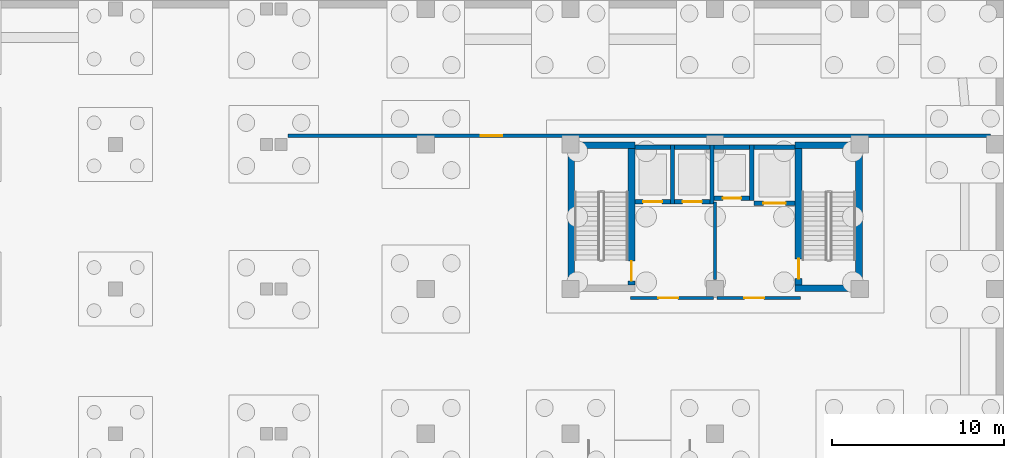
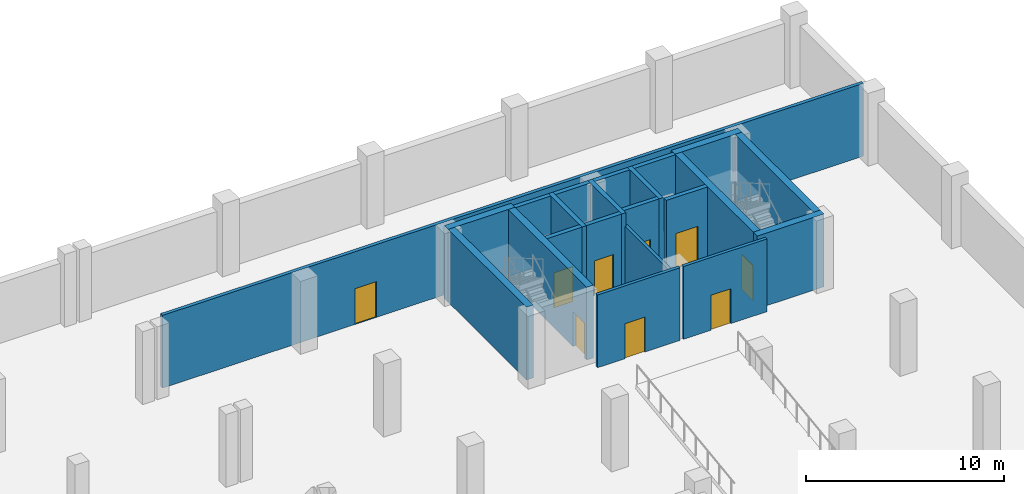
# One storey, part 13 of 18: 22 walls, 9 doors, 9 openings.
"""IFC4 building model written with IfcOpenShell, lengths in metres."""

from ifc_helpers import new_model, si_unit, direction, frame, frame_2d, origin, place, context, subcontext, project, spatial, rectangle, extrude, material, layer, layer_set, type_object, element, fill, save


model = new_model("IFC4")

# Units and contexts
model_context = context("Model", 3, precision=1e-05, world=origin(), true_north=direction((0.0, 1.0)))
body_context = subcontext(model_context, "Body", "Model", "MODEL_VIEW")
ifc_project = project(units=[si_unit("LENGTHUNIT", "METRE"), si_unit("AREAUNIT", "SQUARE_METRE"), si_unit("VOLUMEUNIT", "CUBIC_METRE"), si_unit("PLANEANGLEUNIT", "RADIAN"), si_unit("MASSUNIT", "GRAM", prefix="KILO")], contexts=[model_context])

# Site, building, storey
site_placement = place(None, origin())
site = spatial("IfcSite", under=ifc_project, at=site_placement, CompositionType="ELEMENT")
building_placement = place(site_placement, origin())
building = spatial("IfcBuilding", under=site, at=building_placement, Name="Brinegate Botanical Conservatory", CompositionType="ELEMENT")
storey_placement = place(building_placement, frame((0.0, 0.0, -9.60009765625)))
storey = spatial("IfcBuildingStorey", under=building, at=storey_placement, Name="B2", CompositionType="ELEMENT", Elevation=-9.60009765625)

# Wall, opening, door
ifc_material_1 = material(Name="Autoclaved aerated concrete C40/50 blockwork", Category="masonry")
ifc_layer_1 = layer(ifc_material_1, 0.179931640625, Name="Autoclaved aerated concrete C40/50 blockwork", Category="masonry")
ifc_layer_set_1 = layer_set([ifc_layer_1], Name="Autoclaved aerated concrete C40/50 blockwork")
wall_type_1 = type_object("IfcWallType", Name="Wall_PW-180F", PredefinedType="STANDARD", material=ifc_layer_set_1)
wall_1_placement = place(storey_placement, frame((142.300048828125, 94.679931640625, 0.0), z_axis=(0.0, 0.0, 1.0), x_axis=(1.0, 0.0, 0.0)))
wall_1 = element("IfcWall", 1, at=wall_1_placement, inside=storey, type_object=wall_type_1, Name="Interior partition P-B2-CORE-FF", PredefinedType="STANDARD", context=body_context, shape_type="SweptSolid", body=[
    extrude(rectangle(XDim=4.800048828125, YDim=0.179931640625, at=frame_2d((2.39990234375, 0.0))), origin(), (0.0, 0.0, 1.0), 4.47998046875),
])
opening_1_placement = place(wall_1_placement, frame((1.60009765625, 0.0, 0.0)))
opening_1 = element("IfcOpeningElement", 2, at=opening_1_placement, cuts=wall_1, Name="Opening FD-B1", PredefinedType="OPENING", context=body_context, shape_type="SweptSolid", body=[
    extrude(rectangle(XDim=1.14990234375, YDim=2.14990234375, at=frame_2d((0.574951171875, 1.074951171875))), frame((0.0, 0.099853515625, 0.0), z_axis=(0.0, -1.0, 0.0), x_axis=(1.0, 0.0, 0.0)), (0.0, 0.0, 1.0), 0.199951171875),
])
ifc_material_2 = material(Name="Steel smoke-proof fire door assembly", Category="steel")
door_type_1 = type_object("IfcDoorType", Name="Door_FD-B1", OperationType="NOTDEFINED", PredefinedType="DOOR", material=ifc_material_2)
door_1_placement = place(opening_1_placement, origin())
door_1 = element("IfcDoor", 3, at=door_1_placement, inside=storey, type_object=door_type_1, Name="DR-P-B2-CORE-FF-1", OperationType="SINGLE_SWING_LEFT", OverallHeight=2.14990234375, OverallWidth=1.14990234375, PredefinedType="DOOR", context=body_context, shape_type="SweptSolid", body=[
    extrude(rectangle(XDim=1.14990234375, YDim=2.14990234375, at=frame_2d((0.574951171875, 1.074951171875))), frame((0.0, 0.02490234375, 0.0), z_axis=(0.0, -1.0, 0.0), x_axis=(1.0, 0.0, 0.0)), (0.0, 0.0, 1.0), 0.050048828125),
])
fill(opening_1, door_1)

wall_2_placement = place(storey_placement, frame((147.300048828125, 94.679931640625, 0.0), z_axis=(0.0, 0.0, 1.0), x_axis=(1.0, 0.0, 0.0)))
wall_2 = element("IfcWall", 4, at=wall_2_placement, inside=storey, type_object=wall_type_1, Name="Interior partition P-B2-CORE-PAX", PredefinedType="STANDARD", context=body_context, shape_type="SweptSolid", body=[
    extrude(rectangle(XDim=4.849853515625, YDim=0.179931640625, at=frame_2d((2.4248046875, 0.0))), origin(), (0.0, 0.0, 1.0), 4.47998046875),
])
opening_2_placement = place(wall_2_placement, frame((1.60009765625, 0.0, 0.0)))
opening_2 = element("IfcOpeningElement", 5, at=opening_2_placement, cuts=wall_2, Name="Opening FD-B1", PredefinedType="OPENING", context=body_context, shape_type="SweptSolid", body=[
    extrude(rectangle(XDim=1.14990234375, YDim=2.14990234375, at=frame_2d((0.574951171875, 1.074951171875))), frame((0.0, 0.099853515625, 0.0), z_axis=(0.0, -1.0, 0.0), x_axis=(1.0, 0.0, 0.0)), (0.0, 0.0, 1.0), 0.199951171875),
])
door_2_placement = place(opening_2_placement, origin())
door_2 = element("IfcDoor", 6, at=door_2_placement, inside=storey, type_object=door_type_1, Name="DR-P-B2-CORE-PAX-1", OperationType="SINGLE_SWING_RIGHT", OverallHeight=2.14990234375, OverallWidth=1.14990234375, PredefinedType="DOOR", context=body_context, shape_type="SweptSolid", body=[
    extrude(rectangle(XDim=1.14990234375, YDim=2.14990234375, at=frame_2d((0.574951171875, 1.074951171875))), frame((0.0, 0.02490234375, 0.0), z_axis=(0.0, -1.0, 0.0), x_axis=(1.0, 0.0, 0.0)), (0.0, 0.0, 1.0), 0.050048828125),
])
fill(opening_2, door_2)

# Wall
wall_3_placement = place(storey_placement, frame((147.199951171875, 95.75, 0.0), z_axis=(0.0, 0.0, 1.0), x_axis=(0.0, 1.0, 0.0)))
element("IfcWall", 7, at=wall_3_placement, inside=storey, type_object=wall_type_1, Name="Interior partition P-B2-CORE-DIV", PredefinedType="STANDARD", context=body_context, shape_type="SweptSolid", body=[
    extrude(rectangle(XDim=4.5, YDim=0.179931640625, at=frame_2d((2.25, 0.0))), origin(), (0.0, 0.0, 1.0), 3.630126953125),
])

# Wall, opening, door
ifc_layer_2 = layer(ifc_material_1, 0.199951171875, Name="Autoclaved aerated concrete C40/50 blockwork", Category="masonry")
ifc_layer_set_2 = layer_set([ifc_layer_2], Name="Autoclaved aerated concrete C40/50 blockwork")
wall_type_2 = type_object("IfcWallType", Name="Wall_PW-200F", PredefinedType="SOLIDWALL", material=ifc_layer_set_2)
wall_4_placement = place(storey_placement, frame((122.39990234375, 104.10009765625, 0.0), z_axis=(0.0, 0.0, 1.0), x_axis=(1.0, 0.0, 0.0)))
wall_4 = element("IfcWall", 8, at=wall_4_placement, inside=storey, type_object=wall_type_2, Name="Interior partition P-B2-CRYO", PredefinedType="SOLIDWALL", context=body_context, shape_type="SweptSolid", body=[
    extrude(rectangle(XDim=40.800048828125, YDim=0.199951171875, at=frame_2d((20.39990234375, 0.0))), origin(), (0.0, 0.0, 1.0), 4.47998046875),
])
opening_3_placement = place(wall_4_placement, frame((11.199951171875, 0.0, 0.0)))
opening_3 = element("IfcOpeningElement", 9, at=opening_3_placement, cuts=wall_4, Name="Opening FD-A1", PredefinedType="OPENING", context=body_context, shape_type="SweptSolid", body=[
    extrude(rectangle(XDim=1.25, YDim=2.199951171875, at=frame_2d((0.625, 1.10009765625))), frame((0.0, 0.10986328125, 0.0), z_axis=(0.0, -1.0, 0.0), x_axis=(1.0, 0.0, 0.0)), (0.0, 0.0, 1.0), 0.219970703125),
])
ifc_material_3 = material(Name="Steel fire-rated assembly", Category="steel")
door_type_2 = type_object("IfcDoorType", Name="Door_FD-A1", OperationType="NOTDEFINED", PredefinedType="DOOR", material=ifc_material_3)
door_3_placement = place(opening_3_placement, origin())
door_3 = element("IfcDoor", 10, at=door_3_placement, inside=storey, type_object=door_type_2, Name="DR-P-B2-CRYO-1", OperationType="SINGLE_SWING_LEFT", OverallHeight=2.199951171875, OverallWidth=1.25, PredefinedType="DOOR", context=body_context, shape_type="SweptSolid", body=[
    extrude(rectangle(XDim=1.25, YDim=2.199951171875, at=frame_2d((0.625, 1.10009765625))), frame((0.0, 0.02490234375, 0.0), z_axis=(0.0, -1.0, 0.0), x_axis=(1.0, 0.0, 0.0)), (0.0, 0.0, 1.0), 0.050048828125),
])
fill(opening_3, door_3)

ifc_material_4 = material(Name="Concrete C40/50", Category="concrete")
ifc_layer_3 = layer(ifc_material_4, 0.25, Name="Concrete C40/50", Category="concrete")
ifc_layer_set_3 = layer_set([ifc_layer_3], Name="Concrete C40/50")
wall_type_3 = type_object("IfcWallType", Name="Wall_SW-250", PredefinedType="SHEAR", material=ifc_layer_set_3)
wall_5_placement = place(storey_placement, frame((142.550048828125, 100.27490234375, 0.0), z_axis=(0.0, 0.0, 1.0), x_axis=(1.0, 0.0, 0.0)))
wall_5 = element("IfcWall", 11, at=wall_5_placement, inside=storey, type_object=wall_type_3, Name="Lift shaft LF1 shear wall B2 S", PredefinedType="SHEAR", context=body_context, shape_type="SweptSolid", body=[
    extrude(rectangle(XDim=2.050048828125, YDim=0.25, at=frame_2d((1.02490234375, 0.0))), origin(), (0.0, 0.0, 1.0), 4.47998046875),
])
opening_4_placement = place(wall_5_placement, frame((0.47509765625, 0.0, 0.0)))
opening_4 = element("IfcOpeningElement", 12, at=opening_4_placement, cuts=wall_5, Name="Opening LD-01", PredefinedType="OPENING", context=body_context, shape_type="SweptSolid", body=[
    extrude(rectangle(XDim=1.10009765625, YDim=2.14990234375, at=frame_2d((0.550048828125, 1.074951171875))), frame((0.0, 0.135009765625, 0.0), z_axis=(0.0, -1.0, 0.0), x_axis=(1.0, 0.0, 0.0)), (0.0, 0.0, 1.0), 0.27001953125),
])
ifc_material_5 = material(Name="Brushed stainless steel S355 landing door", Category="steel")
door_type_3 = type_object("IfcDoorType", Name="Door_LD-01", OperationType="SLIDING_TO_LEFT", PredefinedType="DOOR", material=ifc_material_5)
door_4_placement = place(opening_4_placement, origin())
door_4 = element("IfcDoor", 13, at=door_4_placement, inside=storey, type_object=door_type_3, Name="LD-LF1-B2", OperationType="SLIDING_TO_LEFT", OverallHeight=2.14990234375, OverallWidth=1.10009765625, PredefinedType="DOOR", context=body_context, shape_type="SweptSolid", body=[
    extrude(rectangle(XDim=1.10009765625, YDim=2.14990234375, at=frame_2d((0.550048828125, 1.074951171875))), frame((0.0, 0.02490234375, 0.0), z_axis=(0.0, -1.0, 0.0), x_axis=(1.0, 0.0, 0.0)), (0.0, 0.0, 1.0), 0.050048828125),
])
fill(opening_4, door_4)

# Walls
wall_6_placement = place(storey_placement, frame((142.550048828125, 103.425048828125, 0.0), z_axis=(0.0, 0.0, 1.0), x_axis=(1.0, 0.0, 0.0)))
element("IfcWall", 14, at=wall_6_placement, inside=storey, type_object=wall_type_3, Name="Lift shaft LF1 shear wall B2 N", PredefinedType="SHEAR", context=body_context, shape_type="SweptSolid", body=[
    extrude(rectangle(XDim=2.050048828125, YDim=0.25, at=frame_2d((1.02490234375, 0.0))), origin(), (0.0, 0.0, 1.0), 4.47998046875),
])
wall_7_placement = place(storey_placement, frame((144.72509765625, 100.14990234375, 0.0), z_axis=(0.0, 0.0, 1.0), x_axis=(0.0, 1.0, 0.0)))
element("IfcWall", 15, at=wall_7_placement, inside=storey, type_object=wall_type_3, Name="Lift shaft LF1 shear wall B2 E", PredefinedType="SHEAR", context=body_context, shape_type="SweptSolid", body=[
    extrude(rectangle(XDim=3.400146484375, YDim=0.25, at=frame_2d((1.7001953125, 0.0))), origin(), (0.0, 0.0, 1.0), 4.47998046875),
])

# Wall, opening, door
wall_8_placement = place(storey_placement, frame((144.85009765625, 100.27490234375, 0.0), z_axis=(0.0, 0.0, 1.0), x_axis=(1.0, 0.0, 0.0)))
wall_8 = element("IfcWall", 16, at=wall_8_placement, inside=storey, type_object=wall_type_3, Name="Lift shaft LF2 shear wall B2 S", PredefinedType="SHEAR", context=body_context, shape_type="SweptSolid", body=[
    extrude(rectangle(XDim=2.0498046875, YDim=0.25, at=frame_2d((1.02490234375, 0.0))), origin(), (0.0, 0.0, 1.0), 4.47998046875),
])
opening_5_placement = place(wall_8_placement, frame((0.465087890625, 0.0, 0.0)))
opening_5 = element("IfcOpeningElement", 17, at=opening_5_placement, cuts=wall_8, Name="Opening LD-02", PredefinedType="OPENING", context=body_context, shape_type="SweptSolid", body=[
    extrude(rectangle(XDim=1.1201171875, YDim=2.14990234375, at=frame_2d((0.56005859375, 1.074951171875))), frame((0.0, 0.135009765625, 0.0), z_axis=(0.0, -1.0, 0.0), x_axis=(1.0, 0.0, 0.0)), (0.0, 0.0, 1.0), 0.27001953125),
])
door_type_4 = type_object("IfcDoorType", Name="Door_LD-02", OperationType="SLIDING_TO_LEFT", PredefinedType="DOOR", material=ifc_material_5)
door_5_placement = place(opening_5_placement, origin())
door_5 = element("IfcDoor", 18, at=door_5_placement, inside=storey, type_object=door_type_4, Name="LD-LF2-B2", OperationType="SLIDING_TO_LEFT", OverallHeight=2.14990234375, OverallWidth=1.1201171875, PredefinedType="DOOR", context=body_context, shape_type="SweptSolid", body=[
    extrude(rectangle(XDim=1.1201171875, YDim=2.14990234375, at=frame_2d((0.56005859375, 1.074951171875))), frame((0.0, 0.02490234375, 0.0), z_axis=(0.0, -1.0, 0.0), x_axis=(1.0, 0.0, 0.0)), (0.0, 0.0, 1.0), 0.050048828125),
])
fill(opening_5, door_5)

# Walls
wall_9_placement = place(storey_placement, frame((144.85009765625, 103.425048828125, 0.0), z_axis=(0.0, 0.0, 1.0), x_axis=(1.0, 0.0, 0.0)))
element("IfcWall", 19, at=wall_9_placement, inside=storey, type_object=wall_type_3, Name="Lift shaft LF2 shear wall B2 N", PredefinedType="SHEAR", context=body_context, shape_type="SweptSolid", body=[
    extrude(rectangle(XDim=2.0498046875, YDim=0.25, at=frame_2d((1.02490234375, 0.0))), origin(), (0.0, 0.0, 1.0), 4.47998046875),
])
wall_10_placement = place(storey_placement, frame((147.02490234375, 100.14990234375, 0.0), z_axis=(0.0, 0.0, 1.0), x_axis=(0.0, 1.0, 0.0)))
element("IfcWall", 20, at=wall_10_placement, inside=storey, type_object=wall_type_3, Name="Lift shaft LF2 shear wall B2 E", PredefinedType="SHEAR", context=body_context, shape_type="SweptSolid", body=[
    extrude(rectangle(XDim=3.400146484375, YDim=0.25, at=frame_2d((1.7001953125, 0.0))), origin(), (0.0, 0.0, 1.0), 4.47998046875),
])

# Wall, opening, door
wall_11_placement = place(storey_placement, frame((147.14990234375, 100.47509765625, 0.0), z_axis=(0.0, 0.0, 1.0), x_axis=(1.0, 0.0, 0.0)))
wall_11 = element("IfcWall", 21, at=wall_11_placement, inside=storey, type_object=wall_type_3, Name="Lift shaft LF3 shear wall B2 S", PredefinedType="SHEAR", context=body_context, shape_type="SweptSolid", body=[
    extrude(rectangle(XDim=2.050048828125, YDim=0.25, at=frame_2d((1.02490234375, 0.0))), origin(), (0.0, 0.0, 1.0), 4.47998046875),
])
opening_6_placement = place(wall_11_placement, frame((0.4951171875, 0.0, 0.0)))
opening_6 = element("IfcOpeningElement", 22, at=opening_6_placement, cuts=wall_11, Name="Opening LD-03", PredefinedType="OPENING", context=body_context, shape_type="SweptSolid", body=[
    extrude(rectangle(XDim=1.06005859375, YDim=2.14990234375, at=frame_2d((0.530029296875, 1.074951171875))), frame((0.0, 0.135009765625, 0.0), z_axis=(0.0, -1.0, 0.0), x_axis=(1.0, 0.0, 0.0)), (0.0, 0.0, 1.0), 0.27001953125),
])
door_type_5 = type_object("IfcDoorType", Name="Door_LD-03", OperationType="SLIDING_TO_LEFT", PredefinedType="DOOR", material=ifc_material_5)
door_6_placement = place(opening_6_placement, origin())
door_6 = element("IfcDoor", 23, at=door_6_placement, inside=storey, type_object=door_type_5, Name="LD-LF3-B2", OperationType="SLIDING_TO_LEFT", OverallHeight=2.14990234375, OverallWidth=1.06005859375, PredefinedType="DOOR", context=body_context, shape_type="SweptSolid", body=[
    extrude(rectangle(XDim=1.06005859375, YDim=2.14990234375, at=frame_2d((0.530029296875, 1.074951171875))), frame((0.0, 0.02490234375, 0.0), z_axis=(0.0, -1.0, 0.0), x_axis=(1.0, 0.0, 0.0)), (0.0, 0.0, 1.0), 0.050048828125),
])
fill(opening_6, door_6)

# Walls
wall_12_placement = place(storey_placement, frame((147.14990234375, 103.425048828125, 0.0), z_axis=(0.0, 0.0, 1.0), x_axis=(1.0, 0.0, 0.0)))
element("IfcWall", 24, at=wall_12_placement, inside=storey, type_object=wall_type_3, Name="Lift shaft LF3 shear wall B2 N", PredefinedType="SHEAR", context=body_context, shape_type="SweptSolid", body=[
    extrude(rectangle(XDim=2.050048828125, YDim=0.25, at=frame_2d((1.02490234375, 0.0))), origin(), (0.0, 0.0, 1.0), 4.47998046875),
])
wall_13_placement = place(storey_placement, frame((149.324951171875, 100.35009765625, 0.0), z_axis=(0.0, 0.0, 1.0), x_axis=(0.0, 1.0, 0.0)))
element("IfcWall", 25, at=wall_13_placement, inside=storey, type_object=wall_type_3, Name="Lift shaft LF3 shear wall B2 E", PredefinedType="SHEAR", context=body_context, shape_type="SweptSolid", body=[
    extrude(rectangle(XDim=3.199951171875, YDim=0.25, at=frame_2d((1.60009765625, 0.0))), origin(), (0.0, 0.0, 1.0), 4.47998046875),
])

# Wall, opening, door
wall_14_placement = place(storey_placement, frame((149.449951171875, 100.175048828125, 0.0), z_axis=(0.0, 0.0, 1.0), x_axis=(1.0, 0.0, 0.0)))
wall_14 = element("IfcWall", 26, at=wall_14_placement, inside=storey, type_object=wall_type_3, Name="Lift shaft LF4 shear wall B2 S", PredefinedType="SHEAR", context=body_context, shape_type="SweptSolid", body=[
    extrude(rectangle(XDim=2.400146484375, YDim=0.25, at=frame_2d((1.2001953125, 0.0))), origin(), (0.0, 0.0, 1.0), 4.47998046875),
])
opening_7_placement = place(wall_14_placement, frame((0.550048828125, 0.0, 0.0)))
opening_7 = element("IfcOpeningElement", 27, at=opening_7_placement, cuts=wall_14, Name="Opening LD-04", PredefinedType="OPENING", context=body_context, shape_type="SweptSolid", body=[
    extrude(rectangle(XDim=1.300048828125, YDim=2.25, at=frame_2d((0.64990234375, 1.125))), frame((0.0, 0.135009765625, 0.0), z_axis=(0.0, -1.0, 0.0), x_axis=(1.0, 0.0, 0.0)), (0.0, 0.0, 1.0), 0.27001953125),
])
door_type_6 = type_object("IfcDoorType", Name="Door_LD-04", OperationType="SLIDING_TO_LEFT", PredefinedType="DOOR", material=ifc_material_5)
door_7_placement = place(opening_7_placement, origin())
door_7 = element("IfcDoor", 28, at=door_7_placement, inside=storey, type_object=door_type_6, Name="LD-LF4-B2", OperationType="SLIDING_TO_LEFT", OverallHeight=2.25, OverallWidth=1.300048828125, PredefinedType="DOOR", context=body_context, shape_type="SweptSolid", body=[
    extrude(rectangle(XDim=1.300048828125, YDim=2.25, at=frame_2d((0.64990234375, 1.125))), frame((0.0, 0.02490234375, 0.0), z_axis=(0.0, -1.0, 0.0), x_axis=(1.0, 0.0, 0.0)), (0.0, 0.0, 1.0), 0.050048828125),
])
fill(opening_7, door_7)

# Walls
wall_15_placement = place(storey_placement, frame((149.449951171875, 103.425048828125, 0.0), z_axis=(0.0, 0.0, 1.0), x_axis=(1.0, 0.0, 0.0)))
element("IfcWall", 29, at=wall_15_placement, inside=storey, type_object=wall_type_3, Name="Lift shaft LF4 shear wall B2 N", PredefinedType="SHEAR", context=body_context, shape_type="SweptSolid", body=[
    extrude(rectangle(XDim=2.400146484375, YDim=0.25, at=frame_2d((1.2001953125, 0.0))), origin(), (0.0, 0.0, 1.0), 4.47998046875),
])
ifc_material_6 = material(Name="Concrete C50/60", Category="concrete")
ifc_layer_4 = layer(ifc_material_6, 0.39990234375, Name="Concrete C50/60", Category="concrete")
ifc_layer_set_4 = layer_set([ifc_layer_4], Name="Concrete C50/60")
wall_type_4 = type_object("IfcWallType", Name="Wall_SW-400", PredefinedType="SHEAR", material=ifc_layer_set_4)
wall_16_placement = place(storey_placement, frame((138.64990234375, 103.550048828125, 0.0), z_axis=(0.0, 0.0, 1.0), x_axis=(1.0, 0.0, 0.0)))
element("IfcWall", 30, at=wall_16_placement, inside=storey, type_object=wall_type_4, Name="Stairwell ST1 shear wall B2 N", PredefinedType="SHEAR", context=body_context, shape_type="SweptSolid", body=[
    extrude(rectangle(XDim=3.900146484375, YDim=0.39990234375, at=frame_2d((1.9501953125, 0.0))), origin(), (0.0, 0.0, 1.0), 4.47998046875),
])
wall_17_placement = place(storey_placement, frame((138.85009765625, 95.449951171875, 0.0), z_axis=(0.0, 0.0, 1.0), x_axis=(0.0, 1.0, 0.0)))
element("IfcWall", 31, at=wall_17_placement, inside=storey, type_object=wall_type_4, Name="Stairwell ST1 shear wall B2 W", PredefinedType="SHEAR", context=body_context, shape_type="SweptSolid", body=[
    extrude(rectangle(XDim=7.900146484375, YDim=0.39990234375, at=frame_2d((3.9501953125, 0.0))), origin(), (0.0, 0.0, 1.0), 4.47998046875),
])

# Wall, opening, door
wall_18_placement = place(storey_placement, frame((142.35009765625, 95.449951171875, 0.0), z_axis=(0.0, 0.0, 1.0), x_axis=(0.0, 1.0, 0.0)))
wall_18 = element("IfcWall", 32, at=wall_18_placement, inside=storey, type_object=wall_type_4, Name="Stairwell ST1 shear wall B2 E", PredefinedType="SHEAR", context=body_context, shape_type="SweptSolid", body=[
    extrude(rectangle(XDim=7.900146484375, YDim=0.39990234375, at=frame_2d((3.9501953125, 0.0))), origin(), (0.0, 0.0, 1.0), 4.47998046875),
])
opening_8_placement = place(wall_18_placement, frame((0.219970703125, 0.0, 0.0)))
opening_8 = element("IfcOpeningElement", 33, at=opening_8_placement, cuts=wall_18, Name="Opening FD-B4", PredefinedType="OPENING", context=body_context, shape_type="SweptSolid", body=[
    extrude(rectangle(XDim=1.14990234375, YDim=2.14990234375, at=frame_2d((0.574951171875, 1.074951171875))), frame((0.0, 0.2099609375, 0.0), z_axis=(0.0, -1.0, 0.0), x_axis=(1.0, 0.0, 0.0)), (0.0, 0.0, 1.0), 0.419921875),
])
ifc_material_7 = material(Name="Steel stairwell fire door", Category="steel")
door_type_7 = type_object("IfcDoorType", Name="Door_FD-B4", OperationType="NOTDEFINED", PredefinedType="DOOR", material=ifc_material_7)
door_8_placement = place(opening_8_placement, origin())
door_8 = element("IfcDoor", 34, at=door_8_placement, inside=storey, type_object=door_type_7, Name="DR-ST-ST1-B2", OperationType="SINGLE_SWING_LEFT", OverallHeight=2.14990234375, OverallWidth=1.14990234375, PredefinedType="DOOR", context=body_context, shape_type="SweptSolid", body=[
    extrude(rectangle(XDim=1.14990234375, YDim=2.14990234375, at=frame_2d((0.574951171875, 1.074951171875))), frame((0.0, 0.02490234375, 0.0), z_axis=(0.0, -1.0, 0.0), x_axis=(1.0, 0.0, 0.0)), (0.0, 0.0, 1.0), 0.050048828125),
])
fill(opening_8, door_8)

# Walls
for number, where, z_axis, x_axis, name in (
    (35, (151.85009765625, 95.25, 0.0), (0.0, 0.0, 1.0), (1.0, 0.0, 0.0), "Stairwell ST2 shear wall B2 S"),
    (36, (151.85009765625, 103.550048828125, 0.0), (0.0, 0.0, 1.0), (1.0, 0.0, 0.0), "Stairwell ST2 shear wall B2 N"),
):
    element("IfcWall", number, at=place(storey_placement, frame(where, z_axis=z_axis, x_axis=x_axis)), inside=storey, type_object=wall_type_4, Name=name, PredefinedType="SHEAR", context=body_context, shape_type="SweptSolid", body=[
        extrude(rectangle(XDim=3.89990234375, YDim=0.39990234375, at=frame_2d((1.949951171875, 0.0))), origin(), (0.0, 0.0, 1.0), 4.47998046875),
    ])

# Wall, opening, door
wall_19_placement = place(storey_placement, frame((152.050048828125, 95.449951171875, 0.0), z_axis=(0.0, 0.0, 1.0), x_axis=(0.0, 1.0, 0.0)))
wall_19 = element("IfcWall", 37, at=wall_19_placement, inside=storey, type_object=wall_type_4, Name="Stairwell ST2 shear wall B2 W", PredefinedType="SHEAR", context=body_context, shape_type="SweptSolid", body=[
    extrude(rectangle(XDim=7.900146484375, YDim=0.39990234375, at=frame_2d((3.9501953125, 0.0))), origin(), (0.0, 0.0, 1.0), 4.47998046875),
])
opening_9_placement = place(wall_19_placement, frame((0.35009765625, 0.0, 0.0)))
opening_9 = element("IfcOpeningElement", 38, at=opening_9_placement, cuts=wall_19, Name="Opening FD-B4", PredefinedType="OPENING", context=body_context, shape_type="SweptSolid", body=[
    extrude(rectangle(XDim=1.14990234375, YDim=2.14990234375, at=frame_2d((0.574951171875, 1.074951171875))), frame((0.0, 0.2099609375, 0.0), z_axis=(0.0, -1.0, 0.0), x_axis=(1.0, 0.0, 0.0)), (0.0, 0.0, 1.0), 0.419921875),
])
door_9_placement = place(opening_9_placement, origin())
door_9 = element("IfcDoor", 39, at=door_9_placement, inside=storey, type_object=door_type_7, Name="DR-ST-ST2-B2", OperationType="SINGLE_SWING_LEFT", OverallHeight=2.14990234375, OverallWidth=1.14990234375, PredefinedType="DOOR", context=body_context, shape_type="SweptSolid", body=[
    extrude(rectangle(XDim=1.14990234375, YDim=2.14990234375, at=frame_2d((0.574951171875, 1.074951171875))), frame((0.0, 0.02490234375, 0.0), z_axis=(0.0, -1.0, 0.0), x_axis=(1.0, 0.0, 0.0)), (0.0, 0.0, 1.0), 0.050048828125),
])
fill(opening_9, door_9)

# Wall
wall_20_placement = place(storey_placement, frame((155.550048828125, 95.449951171875, 0.0), z_axis=(0.0, 0.0, 1.0), x_axis=(0.0, 1.0, 0.0)))
element("IfcWall", 40, at=wall_20_placement, inside=storey, type_object=wall_type_4, Name="Stairwell ST2 shear wall B2 E", PredefinedType="SHEAR", context=body_context, shape_type="SweptSolid", body=[
    extrude(rectangle(XDim=7.900146484375, YDim=0.39990234375, at=frame_2d((3.9501953125, 0.0))), origin(), (0.0, 0.0, 1.0), 4.47998046875),
])

save(model, "model.ifc")
